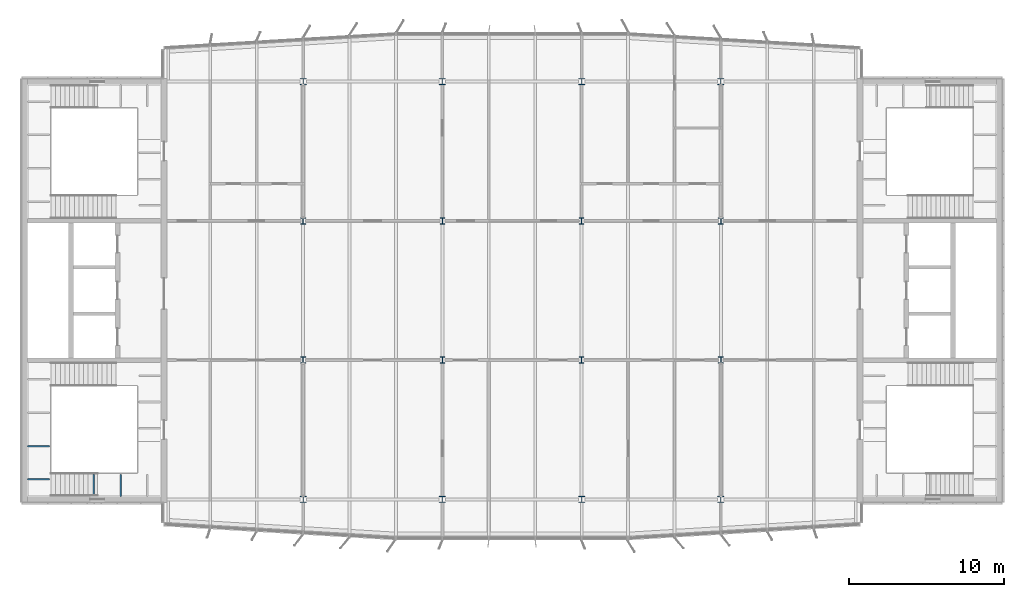
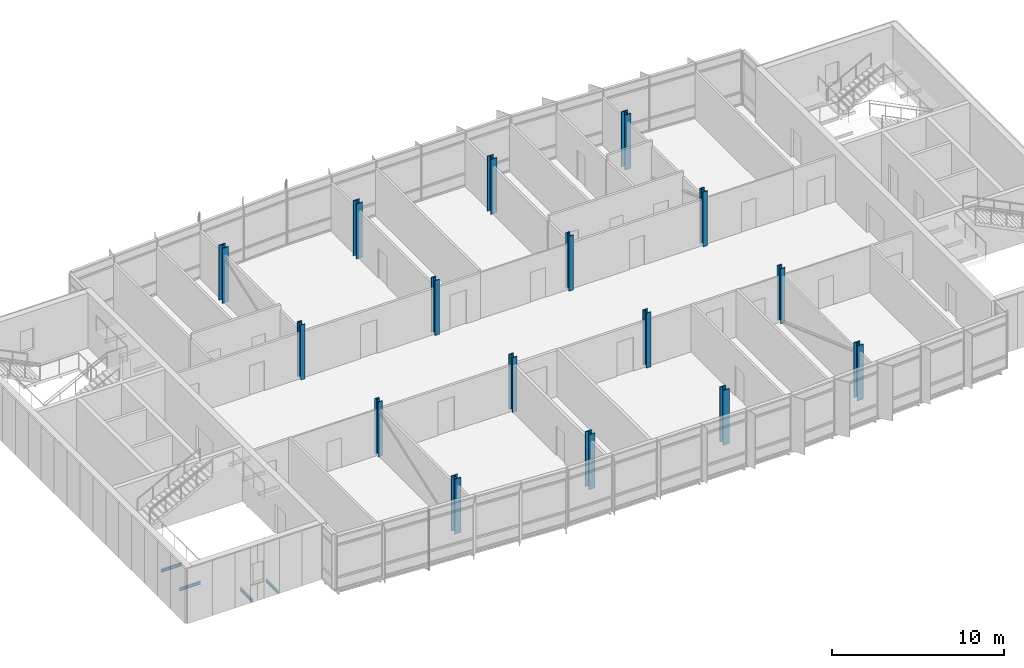
# One storey, part 1 of 18: 16 columns, 4 beams.
"""IFC4 building model written with IfcOpenShell, lengths in metres."""

import ifcopenshell
import ifcopenshell.guid

model = None  # the IFC model being written
_history = None  # IfcOwnerHistory: only IFC2X3 demands one
_inside = {}  # id of a spatial element -> (the spatial element, [elements in it])
_under = {}  # id of a project, library or spatial element -> (it, [spatial elements below it])
_declared = {}  # id of a project -> (the project, [libraries it declares])
_typed = {}  # id of a type object -> (the type object, [elements of that type])
_made_of = {}  # id of a material, layer set ... -> (it, [elements and type objects made of it])


def new_model(schema):
    """Start an empty IFC model of exactly this schema.

    Asked for "IFC4X3", IfcOpenShell would pick the latest addendum, in which some entities
    have other attributes; the version numbers below select the first issue.
    IFC2X3 requires an IfcOwnerHistory on every rooted entity: one is made here for all.
    """
    global model, _history
    if schema == "IFC4X3":
        model = ifcopenshell.file(schema_version=(4, 3, 0, 0))
    else:
        model = ifcopenshell.file(schema=schema)
    _inside.clear()
    _under.clear()
    _declared.clear()
    _typed.clear()
    _made_of.clear()
    _history = None
    if model.schema == "IFC2X3":
        org = make("IfcOrganization", Name="unknown")
        user = make(
            "IfcPersonAndOrganization",
            ThePerson=make("IfcPerson", FamilyName="unknown"),
            TheOrganization=org,
        )
        app = make(
            "IfcApplication",
            ApplicationDeveloper=org,
            Version="unknown",
            ApplicationFullName="unknown",
            ApplicationIdentifier="unknown",
        )
        _history = make(
            "IfcOwnerHistory",
            OwningUser=user,
            OwningApplication=app,
            ChangeAction="ADDED",
            CreationDate=0,
        )
    return model


def make(cls, **values):
    """One entity of the class cls with the attributes given. An attribute that is None is left unset."""
    return model.create_entity(
        cls, **{name: value for name, value in values.items() if value is not None}
    )


def rooted(cls, **values):
    """An entity with a GlobalId (a new one), such as an element, a storey or a relation."""
    return make(cls, GlobalId=ifcopenshell.guid.new(), OwnerHistory=_history, **values)


def si_unit(unit_type, name, prefix=None):
    """IfcSIUnit, for example si_unit("LENGTHUNIT", "METRE", prefix="MILLI")."""
    return make("IfcSIUnit", UnitType=unit_type, Prefix=prefix, Name=name)


def assignment(units):
    """IfcUnitAssignment: the units of a project."""
    return None if units is None else make("IfcUnitAssignment", Units=units)


def point(xyz):
    """IfcCartesianPoint."""
    return None if xyz is None else make("IfcCartesianPoint", Coordinates=xyz)


def direction(xyz):
    """IfcDirection."""
    return None if xyz is None else make("IfcDirection", DirectionRatios=xyz)


def frame(location, z_axis=None, x_axis=None):
    """IfcAxis2Placement3D, a coordinate frame: its origin and axes. An axis left out is left unset."""
    return make(
        "IfcAxis2Placement3D",
        Location=point(location),
        Axis=direction(z_axis),
        RefDirection=direction(x_axis),
    )


def frame_2d(location, x_axis=None):
    """IfcAxis2Placement2D, a coordinate frame in the plane: its origin and x axis."""
    return make(
        "IfcAxis2Placement2D", Location=point(location), RefDirection=direction(x_axis)
    )


def origin():
    """The frame at (0, 0, 0) with its axes left unset."""
    return frame((0.0, 0.0, 0.0))


def origin_2d():
    """The frame at (0, 0) in the plane with its x axis left unset."""
    return frame_2d((0.0, 0.0))


def place(relative_to, where):
    """IfcLocalPlacement: puts the frame where relative to a parent placement (None: the world)."""
    return make(
        "IfcLocalPlacement", PlacementRelTo=relative_to, RelativePlacement=where
    )


def context(
    kind, dimensions, precision=None, world=None, true_north=None, identifier=None
):
    """IfcGeometricRepresentationContext, for example the 3D "Model" context."""
    return make(
        "IfcGeometricRepresentationContext",
        ContextIdentifier=identifier,
        ContextType=kind,
        CoordinateSpaceDimension=dimensions,
        Precision=precision,
        WorldCoordinateSystem=world,
        TrueNorth=true_north,
    )


def subcontext(parent, identifier, kind, view, scale=None):
    """IfcGeometricRepresentationSubContext, for example "Body" below "Model"."""
    return make(
        "IfcGeometricRepresentationSubContext",
        ContextIdentifier=identifier,
        ContextType=kind,
        ParentContext=parent,
        TargetScale=scale,
        TargetView=view,
    )


def project(units=None, contexts=None):
    """IfcProject with its units and contexts."""
    return rooted(
        "IfcProject",
        Name="project",
        RepresentationContexts=contexts,
        UnitsInContext=assignment(units),
    )


def spatial(cls, under=None, at=None, **own):
    """A site, building, storey or space (cls), placed at a placement, below another one or the project."""
    s = rooted(cls, ObjectPlacement=at, **own)
    if under is not None:
        _under.setdefault(under.id(), (under, []))[1].append(s)
    return s


def profile(cls, at=None, kind="AREA", **sizes):
    """A parametric profile (cls). Its sizes go by their IFC names, for example OverallWidth=200.0."""
    return make(cls, ProfileType=kind, Position=at, **sizes)


def i_section(**sizes):
    """IfcIShapeProfileDef."""
    return profile("IfcIShapeProfileDef", **sizes)


def extrude(swept, where, along, depth):
    """IfcExtrudedAreaSolid: the profile swept, set in the frame where, extruded along a direction by depth."""
    return make(
        "IfcExtrudedAreaSolid",
        SweptArea=swept,
        Position=where,
        ExtrudedDirection=direction(along),
        Depth=depth,
    )


def shape(context_of_items, identifier, shape_type, items):
    """IfcShapeRepresentation: the items that make up one representation, for example the "Body"."""
    return make(
        "IfcShapeRepresentation",
        ContextOfItems=context_of_items,
        RepresentationIdentifier=identifier,
        RepresentationType=shape_type,
        Items=items,
    )


def material(Name=None, Category=None):
    """IfcMaterial."""
    return make("IfcMaterial", Name=Name, Category=Category)


def material_profile(
    of_material, cross_section, Name=None, Category=None, Priority=None
):
    """IfcMaterialProfile: a cross section and its material."""
    return make(
        "IfcMaterialProfile",
        Name=Name,
        Material=of_material,
        Profile=cross_section,
        Priority=Priority,
        Category=Category,
    )


def profile_set(profiles, Name=None, composite=None):
    """IfcMaterialProfileSet."""
    return make(
        "IfcMaterialProfileSet",
        Name=Name,
        MaterialProfiles=profiles,
        CompositeProfile=composite,
    )


def made_of(thing, what):
    """Note that an element or type object is made of a material, layer set ...; save() writes the relation."""
    if what is not None:
        _made_of.setdefault(what.id(), (what, []))[1].append(thing)
    return thing


def type_object(cls, material=None, **own):
    """A type object (cls), such as IfcWallType, which elements share."""
    return made_of(rooted(cls, **own), material)


def element(
    cls,
    number,
    at=None,
    inside=None,
    cuts=None,
    type_object=None,
    material=None,
    context=None,
    identifier="Body",
    shape_type=None,
    held_by="IfcProductDefinitionShape",
    body=None,
    shapes=None,
    **own,
):
    """One element of the class cls, such as IfcWall. Its Tag is "e" and its number.

    at: its placement. inside: the storey or other place that contains it. cuts: it is an
    opening in that element (IfcRelVoidsElement). A single representation is given by context,
    identifier, shape_type and body (its items); several are given by shapes. held_by: the class
    of the entity that holds the representations. save() writes the other relations.
    """
    e = rooted(cls, Tag="e%d" % number, ObjectPlacement=at, **own)
    if body is not None:
        shapes = [shape(context, identifier, shape_type, body)]
    if shapes is not None:
        e.Representation = make(held_by, Representations=shapes)
    if inside is not None:
        _inside.setdefault(inside.id(), (inside, []))[1].append(e)
    if cuts is not None:
        rooted(
            "IfcRelVoidsElement", RelatingBuildingElement=cuts, RelatedOpeningElement=e
        )
    if type_object is not None:
        _typed.setdefault(type_object.id(), (type_object, []))[1].append(e)
    return made_of(e, material)


def aggregate(whole, parts):
    """IfcRelAggregates: a whole, such as a stair, and the parts it consists of."""
    return rooted("IfcRelAggregates", RelatingObject=whole, RelatedObjects=parts)


def save(model, path):
    """Write the relations noted so far, then the file.

    IfcRelAggregates (storeys below a building ...), IfcRelContainedInSpatialStructure (elements
    in a storey), IfcRelDefinesByType, IfcRelAssociatesMaterial and IfcRelDeclares: one each for
    every whole, place, type object, material and project.
    """
    for whole, parts in _under.values():
        aggregate(whole, parts)
    for where, things in _inside.values():
        rooted(
            "IfcRelContainedInSpatialStructure",
            RelatedElements=things,
            RelatingStructure=where,
        )
    for kind, things in _typed.values():
        rooted("IfcRelDefinesByType", RelatedObjects=things, RelatingType=kind)
    for what, things in _made_of.values():
        rooted("IfcRelAssociatesMaterial", RelatedObjects=things, RelatingMaterial=what)
    for by, libraries in _declared.values():
        rooted("IfcRelDeclares", RelatingContext=by, RelatedDefinitions=libraries)
    model.write(path)


model = new_model("IFC4")

# Units and contexts
model_context = context("Model", 3, precision=1e-05, world=origin(), true_north=direction((0.0, 1.0)))
body_context = subcontext(model_context, "Body", "Model", "MODEL_VIEW")
ifc_project = project(units=[si_unit("LENGTHUNIT", "METRE"), si_unit("AREAUNIT", "SQUARE_METRE"), si_unit("VOLUMEUNIT", "CUBIC_METRE"), si_unit("PLANEANGLEUNIT", "RADIAN"), si_unit("MASSUNIT", "GRAM", prefix="KILO")], contexts=[model_context])

# Site, building, storey
site_placement = place(None, origin())
site = spatial("IfcSite", under=ifc_project, at=site_placement, CompositionType="ELEMENT")
building_placement = place(site_placement, origin())
building = spatial("IfcBuilding", under=site, at=building_placement, Name="Azimuth Sports and Learning Centre", CompositionType="ELEMENT")
storey_placement = place(building_placement, frame((0.0, 0.0, 63.60009765625)))
storey = spatial("IfcBuildingStorey", under=building, at=storey_placement, Name="L14", CompositionType="ELEMENT", Elevation=63.60009765625)

# Columns
ifc_material_1 = material(Name="Steel S460", Category="steel")
ifc_material_profile_1 = material_profile(ifc_material_1, i_section(OverallWidth=0.412109375, OverallDepth=0.43505859375, WebThickness=0.035888671875, FlangeThickness=0.057373046875, FilletRadius=0.014892578125, at=origin_2d()), Name="HD 400x463")
ifc_profile_set_1 = profile_set([ifc_material_profile_1], Name="Steel S460")
column_type_1 = type_object("IfcColumnType", Name="Column HD 400x463", PredefinedType="COLUMN", material=ifc_profile_set_1)
for number, where, z_axis, x_axis, name in (
    (1, (72.0, 90.0, 0.0), (0.0, 0.0, 1.0), (1.0, 0.0, 0.0), "Hall column 9L L14"),
    (2, (81.0, 90.0, 0.0), (0.0, 0.0, 1.0), (1.0, 0.0, 0.0), "Hall column 10L L14"),
    (3, (90.0, 90.0, 0.0), (0.0, 0.0, 1.0), (1.0, 0.0, 0.0), "Hall column 11L L14"),
    (4, (99.0, 90.0, 0.0), (0.0, 0.0, 1.0), (1.0, 0.0, 0.0), "Hall column 12L L14"),
    (5, (72.0, 117.0, 0.0), (0.0, 0.0, 1.0), (1.0, 0.0, 0.0), "Hall column 9P L14"),
    (6, (81.0, 117.0, 0.0), (0.0, 0.0, 1.0), (1.0, 0.0, 0.0), "Hall column 10P L14"),
    (7, (90.0, 117.0, 0.0), (0.0, 0.0, 1.0), (1.0, 0.0, 0.0), "Hall column 11P L14"),
    (8, (99.0, 117.0, 0.0), (0.0, 0.0, 1.0), (1.0, 0.0, 0.0), "Hall column 12P L14"),
):
    element("IfcColumn", number, at=place(storey_placement, frame(where, z_axis=z_axis, x_axis=x_axis)), inside=storey, type_object=column_type_1, Name=name, PredefinedType="COLUMN", context=body_context, shape_type="SweptSolid", body=[
        extrude(i_section(OverallWidth=0.412109375, OverallDepth=0.43505859375, WebThickness=0.035888671875, FlangeThickness=0.057373046875, FilletRadius=0.014892578125, at=origin_2d()), origin(), (0.0, 0.0, 1.0), 3.89990234375),
    ])
ifc_material_2 = material(Name="Steel S355", Category="steel")
ifc_material_profile_2 = material_profile(ifc_material_2, i_section(OverallWidth=0.306884765625, OverallDepth=0.431884765625, WebThickness=0.02099609375, FlangeThickness=0.0400390625, FilletRadius=0.027099609375, at=origin_2d()), Name="HEM 400")
ifc_profile_set_2 = profile_set([ifc_material_profile_2], Name="Steel S355")
column_type_2 = type_object("IfcColumnType", Name="Column HEM 400", PredefinedType="COLUMN", material=ifc_profile_set_2)
for number, where, z_axis, x_axis, name in (
    (9, (72.0, 99.0, 0.0), (0.0, 0.0, 1.0), (1.0, 0.0, 0.0), "Tower column 9M L14"),
    (10, (81.0, 99.0, 0.0), (0.0, 0.0, 1.0), (1.0, 0.0, 0.0), "Tower column 10M L14"),
    (11, (90.0, 99.0, 0.0), (0.0, 0.0, 1.0), (1.0, 0.0, 0.0), "Tower column 11M L14"),
    (12, (99.0, 99.0, 0.0), (0.0, 0.0, 1.0), (1.0, 0.0, 0.0), "Tower column 12M L14"),
    (13, (72.0, 108.0, 0.0), (0.0, 0.0, 1.0), (1.0, 0.0, 0.0), "Tower column 9N L14"),
    (14, (81.0, 108.0, 0.0), (0.0, 0.0, 1.0), (1.0, 0.0, 0.0), "Tower column 10N L14"),
    (15, (90.0, 108.0, 0.0), (0.0, 0.0, 1.0), (1.0, 0.0, 0.0), "Tower column 11N L14"),
    (16, (99.0, 108.0, 0.0), (0.0, 0.0, 1.0), (1.0, 0.0, 0.0), "Tower column 12N L14"),
):
    element("IfcColumn", number, at=place(storey_placement, frame(where, z_axis=z_axis, x_axis=x_axis)), inside=storey, type_object=column_type_2, Name=name, PredefinedType="COLUMN", context=body_context, shape_type="SweptSolid", body=[
        extrude(i_section(OverallWidth=0.306884765625, OverallDepth=0.431884765625, WebThickness=0.02099609375, FlangeThickness=0.0400390625, FilletRadius=0.027099609375, at=origin_2d()), origin(), (0.0, 0.0, 1.0), 3.89990234375),
    ])

# Beams
ifc_material_3 = material(Name="Steel S355", Category="steel")
ifc_material_profile_3 = material_profile(ifc_material_3, i_section(OverallWidth=0.10009765625, OverallDepth=0.199951171875, WebThickness=0.005615234375, FlangeThickness=0.008544921875, FilletRadius=0.011962890625, at=origin_2d()), Name="IPE 200")
ifc_profile_set_3 = profile_set([ifc_material_profile_3], Name="Steel S355")
beam_type = type_object("IfcBeamType", Name="Beam IPE 200", PredefinedType="BEAM", material=ifc_profile_set_3)
for number, where, z_axis, x_axis, name in (
    (17, (58.473388671875, 90.199951171875, -0.300048828125), (0.0, 1.0, 0.0), (-1.0, 0.0, 0.0), "Landing bracket W1 L14 139"),
    (18, (60.199951171875, 90.199951171875, -0.300048828125), (0.0, 1.0, 0.0), (-1.0, 0.0, 0.0), "Landing bracket W1 L14 140"),
    (19, (54.199951171875, 91.288818359375, 1.349853515625), (1.0, 0.0, 0.0), (0.0, 1.0, 0.0), "Landing bracket W1 L14 142"),
    (20, (54.199951171875, 93.4462890625, 1.349853515625), (1.0, 0.0, 0.0), (0.0, 1.0, 0.0), "Landing bracket W1 L14 143"),
):
    element("IfcBeam", number, at=place(storey_placement, frame(where, z_axis=z_axis, x_axis=x_axis)), inside=storey, type_object=beam_type, Name=name, PredefinedType="BEAM", context=body_context, shape_type="SweptSolid", body=[
        extrude(i_section(OverallWidth=0.10009765625, OverallDepth=0.199951171875, WebThickness=0.005615234375, FlangeThickness=0.008544921875, FilletRadius=0.011962890625, at=origin_2d()), origin(), (0.0, 0.0, 1.0), 1.41015625),
    ])

save(model, "model.ifc")
